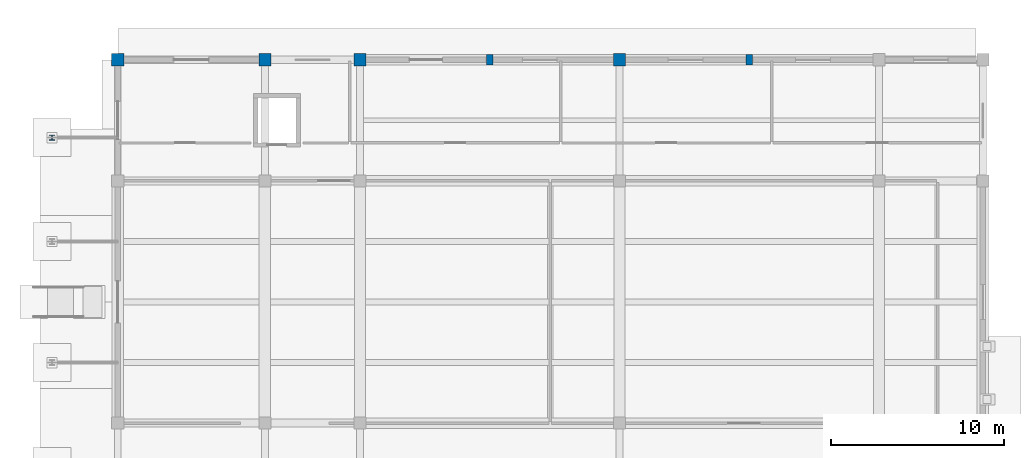
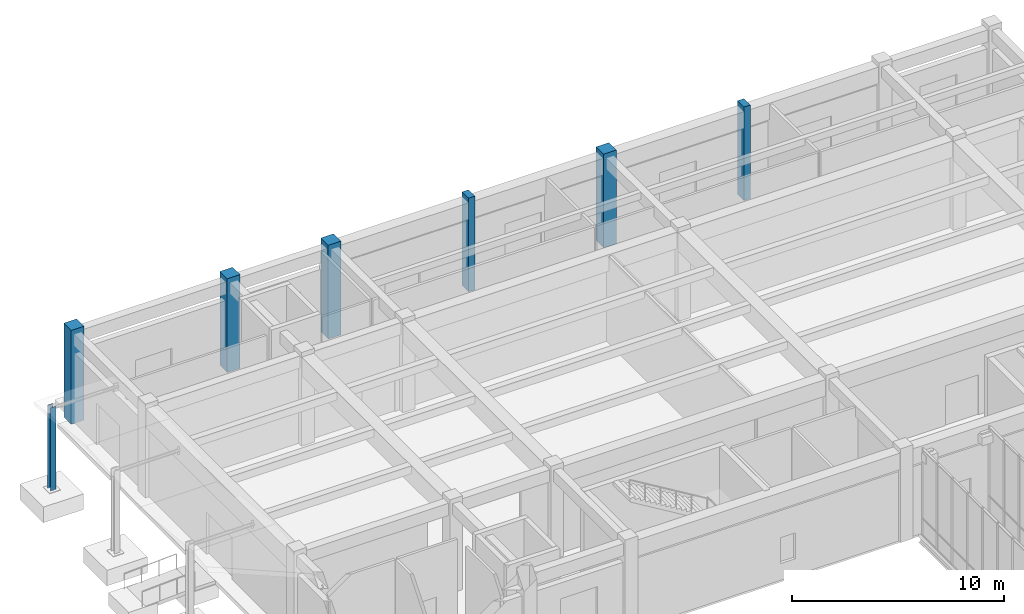
# One storey, part 4 of 40: 7 columns.
"""IFC4 building model written with IfcOpenShell, lengths in metres."""

from ifc_helpers import new_model, si_unit, direction, frame, origin, origin_2d, place, context, subcontext, project, spatial, rectangle, i_section, extrude, material, material_profile, profile_set, type_object, element, save


model = new_model("IFC4")

# Units and contexts
model_context = context("Model", 3, precision=1e-05, world=origin(), true_north=direction((0.0, 1.0)))
body_context = subcontext(model_context, "Body", "Model", "MODEL_VIEW")
ifc_project = project(units=[si_unit("LENGTHUNIT", "METRE"), si_unit("AREAUNIT", "SQUARE_METRE"), si_unit("VOLUMEUNIT", "CUBIC_METRE"), si_unit("PLANEANGLEUNIT", "RADIAN"), si_unit("MASSUNIT", "GRAM", prefix="KILO")], contexts=[model_context])

# Site, building, storey
site_placement = place(None, origin())
site = spatial("IfcSite", under=ifc_project, at=site_placement, CompositionType="ELEMENT")
building_placement = place(site_placement, origin())
building = spatial("IfcBuilding", under=site, at=building_placement, Name="Naurynzar Civic Courthouse", CompositionType="ELEMENT")
storey_placement = place(building_placement, origin())
storey = spatial("IfcBuildingStorey", under=building, at=storey_placement, Name="L01", CompositionType="ELEMENT", Elevation=0.0)

# Columns
ifc_material_1 = material(Name="Concrete C40/50", Category="concrete")
ifc_material_profile_1 = material_profile(ifc_material_1, rectangle(XDim=0.699951171875, YDim=0.699951171875, at=origin_2d()), Name="RC 700x700")
ifc_profile_set_1 = profile_set([ifc_material_profile_1], Name="Concrete C40/50")
column_type_1 = type_object("IfcColumnType", Name="COL-RC-700", PredefinedType="COLUMN", material=ifc_profile_set_1)
for number, where, z_axis, x_axis, name in (
    (1, (6.0, 72.0, 0.0), (0.0, 0.0, 1.0), (1.0, 0.0, 0.0), "V1 column (6.0,72.0) L01"),
    (2, (14.5, 72.0, 0.0), (0.0, 0.0, 1.0), (1.0, 0.0, 0.0), "V1 column (14.5,72.0) L01"),
    (3, (20.0, 72.0, 0.0), (0.0, 0.0, 1.0), (1.0, 0.0, 0.0), "V1 column (20.0,72.0) L01"),
    (4, (35.0, 72.0, 0.0), (0.0, 0.0, 1.0), (1.0, 0.0, 0.0), "V1 column (35.0,72.0) L01"),
):
    element("IfcColumn", number, at=place(storey_placement, frame(where, z_axis=z_axis, x_axis=x_axis)), inside=storey, type_object=column_type_1, Name=name, PredefinedType="COLUMN", context=body_context, shape_type="SweptSolid", body=[
        extrude(rectangle(XDim=0.699951171875, YDim=0.699951171875, at=origin_2d()), origin(), (0.0, 0.0, 1.0), 5.39990234375),
    ])
ifc_material_2 = material(Name="Steel S355", Category="steel")
ifc_material_profile_2 = material_profile(ifc_material_2, i_section(OverallWidth=0.300048828125, OverallDepth=0.300048828125, WebThickness=0.010986328125, FlangeThickness=0.01904296875, FilletRadius=0.027099609375, at=origin_2d()), Name="HEB 300")
ifc_profile_set_2 = profile_set([ifc_material_profile_2], Name="Steel S355")
column_type_2 = type_object("IfcColumnType", Name="COL-STL-HEB300", PredefinedType="COLUMN", material=ifc_profile_set_2)
column_placement = place(storey_placement, frame((2.199951171875, 67.5, 0.0), z_axis=(0.0, 0.0, 1.0), x_axis=(1.0, 0.0, 0.0)))
element("IfcColumn", 5, at=column_placement, inside=storey, type_object=column_type_2, Name="West canopy steel column 4", PredefinedType="COLUMN", context=body_context, shape_type="SweptSolid", body=[
    extrude(i_section(OverallWidth=0.300048828125, OverallDepth=0.300048828125, WebThickness=0.010986328125, FlangeThickness=0.01904296875, FilletRadius=0.027099609375, at=origin_2d()), origin(), (0.0, 0.0, 1.0), 4.800048828125),
])
ifc_material_3 = material(Name="Concrete C40/50", Category="concrete")
ifc_material_profile_3 = material_profile(ifc_material_3, rectangle(XDim=0.35009765625, YDim=0.60009765625, at=origin_2d()), Name="RC 350x600")
ifc_profile_set_3 = profile_set([ifc_material_profile_3], Name="Concrete C40/50")
column_type_3 = type_object("IfcColumnType", Name="PIL-RC-350x600", PredefinedType="PILASTER", material=ifc_profile_set_3)
for number, where, z_axis, x_axis, name in (
    (6, (27.5, 72.0, 0.0), (0.0, 0.0, 1.0), (1.0, 0.0, 0.0), "V1 north street pilaster 27.5 L01"),
    (7, (42.5, 72.0, 0.0), (0.0, 0.0, 1.0), (1.0, 0.0, 0.0), "V1 north street pilaster 42.5 L01"),
):
    element("IfcColumn", number, at=place(storey_placement, frame(where, z_axis=z_axis, x_axis=x_axis)), inside=storey, type_object=column_type_3, Name=name, PredefinedType="PILASTER", context=body_context, shape_type="SweptSolid", body=[
        extrude(rectangle(XDim=0.35009765625, YDim=0.60009765625, at=origin_2d()), origin(), (0.0, 0.0, 1.0), 5.39990234375),
    ])

save(model, "model.ifc")
